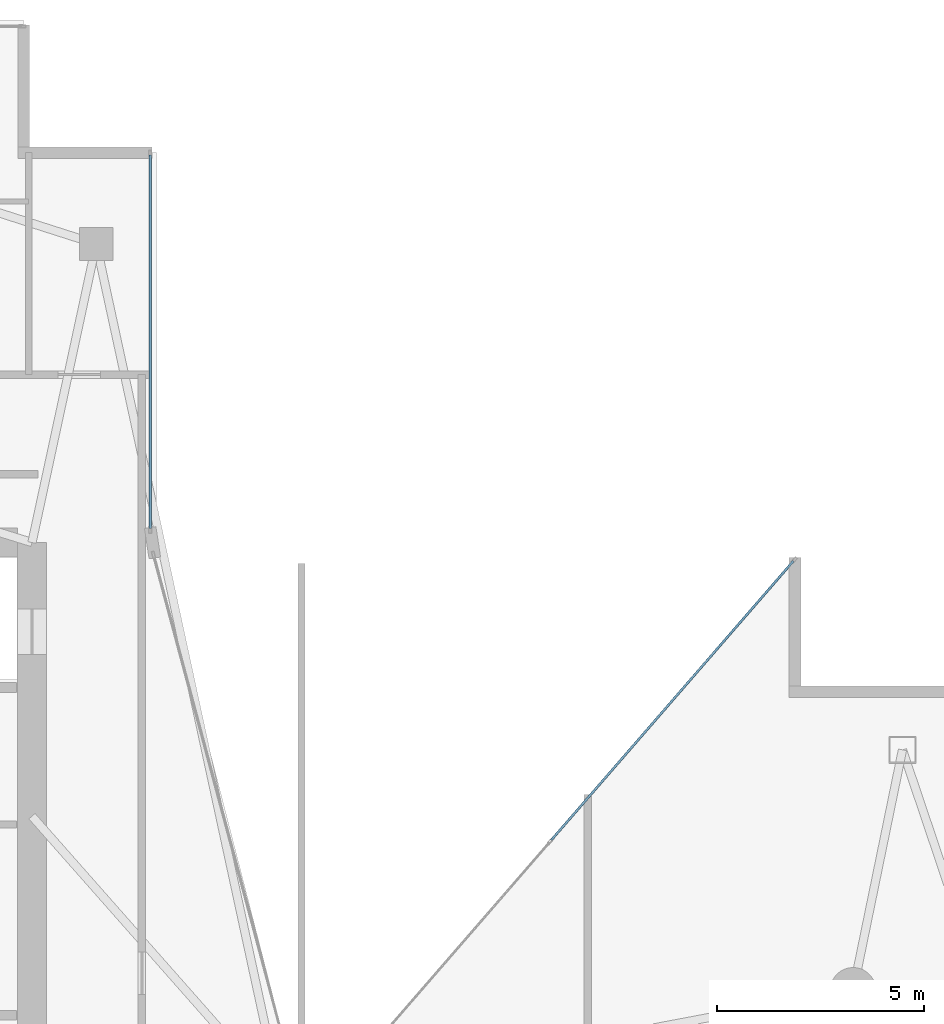
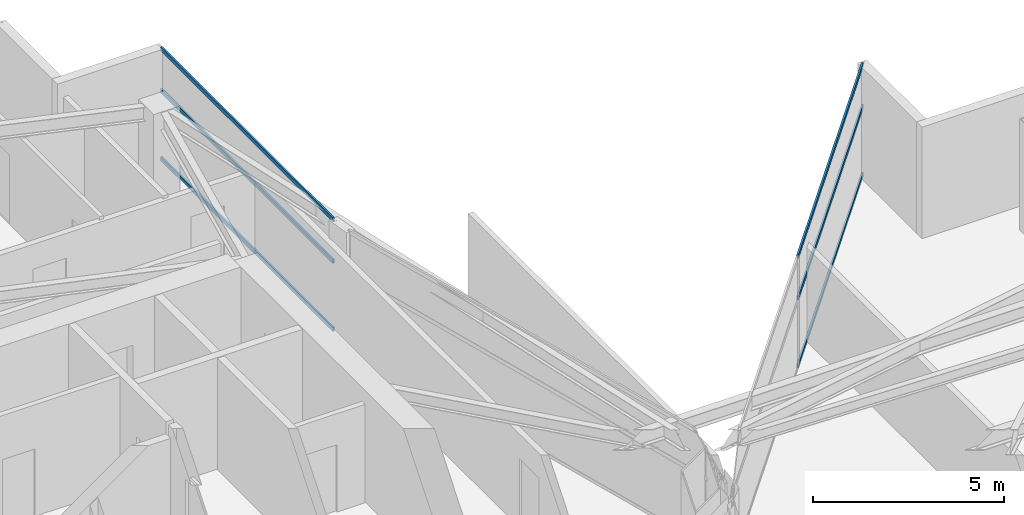
# One storey, part 20 of 29: 6 members, 2 elements without a shape of their own.
"""IFC4 building model written with IfcOpenShell, lengths in metres."""

import ifcopenshell
import ifcopenshell.guid

model = None  # the IFC model being written
_history = None  # IfcOwnerHistory: only IFC2X3 demands one
_inside = {}  # id of a spatial element -> (the spatial element, [elements in it])
_under = {}  # id of a project, library or spatial element -> (it, [spatial elements below it])
_declared = {}  # id of a project -> (the project, [libraries it declares])
_typed = {}  # id of a type object -> (the type object, [elements of that type])
_made_of = {}  # id of a material, layer set ... -> (it, [elements and type objects made of it])


def new_model(schema):
    """Start an empty IFC model of exactly this schema.

    Asked for "IFC4X3", IfcOpenShell would pick the latest addendum, in which some entities
    have other attributes; the version numbers below select the first issue.
    IFC2X3 requires an IfcOwnerHistory on every rooted entity: one is made here for all.
    """
    global model, _history
    if schema == "IFC4X3":
        model = ifcopenshell.file(schema_version=(4, 3, 0, 0))
    else:
        model = ifcopenshell.file(schema=schema)
    _inside.clear()
    _under.clear()
    _declared.clear()
    _typed.clear()
    _made_of.clear()
    _history = None
    if model.schema == "IFC2X3":
        org = make("IfcOrganization", Name="unknown")
        user = make(
            "IfcPersonAndOrganization",
            ThePerson=make("IfcPerson", FamilyName="unknown"),
            TheOrganization=org,
        )
        app = make(
            "IfcApplication",
            ApplicationDeveloper=org,
            Version="unknown",
            ApplicationFullName="unknown",
            ApplicationIdentifier="unknown",
        )
        _history = make(
            "IfcOwnerHistory",
            OwningUser=user,
            OwningApplication=app,
            ChangeAction="ADDED",
            CreationDate=0,
        )
    return model


def make(cls, **values):
    """One entity of the class cls with the attributes given. An attribute that is None is left unset."""
    return model.create_entity(
        cls, **{name: value for name, value in values.items() if value is not None}
    )


def rooted(cls, **values):
    """An entity with a GlobalId (a new one), such as an element, a storey or a relation."""
    return make(cls, GlobalId=ifcopenshell.guid.new(), OwnerHistory=_history, **values)


def si_unit(unit_type, name, prefix=None):
    """IfcSIUnit, for example si_unit("LENGTHUNIT", "METRE", prefix="MILLI")."""
    return make("IfcSIUnit", UnitType=unit_type, Prefix=prefix, Name=name)


def assignment(units):
    """IfcUnitAssignment: the units of a project."""
    return None if units is None else make("IfcUnitAssignment", Units=units)


def point(xyz):
    """IfcCartesianPoint."""
    return None if xyz is None else make("IfcCartesianPoint", Coordinates=xyz)


def direction(xyz):
    """IfcDirection."""
    return None if xyz is None else make("IfcDirection", DirectionRatios=xyz)


def frame(location, z_axis=None, x_axis=None):
    """IfcAxis2Placement3D, a coordinate frame: its origin and axes. An axis left out is left unset."""
    return make(
        "IfcAxis2Placement3D",
        Location=point(location),
        Axis=direction(z_axis),
        RefDirection=direction(x_axis),
    )


def frame_2d(location, x_axis=None):
    """IfcAxis2Placement2D, a coordinate frame in the plane: its origin and x axis."""
    return make(
        "IfcAxis2Placement2D", Location=point(location), RefDirection=direction(x_axis)
    )


def origin():
    """The frame at (0, 0, 0) with its axes left unset."""
    return frame((0.0, 0.0, 0.0))


def origin_2d():
    """The frame at (0, 0) in the plane with its x axis left unset."""
    return frame_2d((0.0, 0.0))


def place(relative_to, where):
    """IfcLocalPlacement: puts the frame where relative to a parent placement (None: the world)."""
    return make(
        "IfcLocalPlacement", PlacementRelTo=relative_to, RelativePlacement=where
    )


def context(
    kind, dimensions, precision=None, world=None, true_north=None, identifier=None
):
    """IfcGeometricRepresentationContext, for example the 3D "Model" context."""
    return make(
        "IfcGeometricRepresentationContext",
        ContextIdentifier=identifier,
        ContextType=kind,
        CoordinateSpaceDimension=dimensions,
        Precision=precision,
        WorldCoordinateSystem=world,
        TrueNorth=true_north,
    )


def subcontext(parent, identifier, kind, view, scale=None):
    """IfcGeometricRepresentationSubContext, for example "Body" below "Model"."""
    return make(
        "IfcGeometricRepresentationSubContext",
        ContextIdentifier=identifier,
        ContextType=kind,
        ParentContext=parent,
        TargetScale=scale,
        TargetView=view,
    )


def project(units=None, contexts=None):
    """IfcProject with its units and contexts."""
    return rooted(
        "IfcProject",
        Name="project",
        RepresentationContexts=contexts,
        UnitsInContext=assignment(units),
    )


def spatial(cls, under=None, at=None, **own):
    """A site, building, storey or space (cls), placed at a placement, below another one or the project."""
    s = rooted(cls, ObjectPlacement=at, **own)
    if under is not None:
        _under.setdefault(under.id(), (under, []))[1].append(s)
    return s


def profile(cls, at=None, kind="AREA", **sizes):
    """A parametric profile (cls). Its sizes go by their IFC names, for example OverallWidth=200.0."""
    return make(cls, ProfileType=kind, Position=at, **sizes)


def hollow_rectangle(**sizes):
    """IfcRectangleHollowProfileDef."""
    return profile("IfcRectangleHollowProfileDef", **sizes)


def extrude(swept, where, along, depth):
    """IfcExtrudedAreaSolid: the profile swept, set in the frame where, extruded along a direction by depth."""
    return make(
        "IfcExtrudedAreaSolid",
        SweptArea=swept,
        Position=where,
        ExtrudedDirection=direction(along),
        Depth=depth,
    )


def shape(context_of_items, identifier, shape_type, items):
    """IfcShapeRepresentation: the items that make up one representation, for example the "Body"."""
    return make(
        "IfcShapeRepresentation",
        ContextOfItems=context_of_items,
        RepresentationIdentifier=identifier,
        RepresentationType=shape_type,
        Items=items,
    )


def material(Name=None, Category=None):
    """IfcMaterial."""
    return make("IfcMaterial", Name=Name, Category=Category)


def layer(
    of_material, thickness, ventilated=None, Name=None, Category=None, Priority=None
):
    """IfcMaterialLayer: one layer of a wall or slab, of a material (None: an air gap)."""
    return make(
        "IfcMaterialLayer",
        Material=of_material,
        LayerThickness=thickness,
        IsVentilated=ventilated,
        Name=Name,
        Category=Category,
        Priority=Priority,
    )


def layer_set(layers, Name=None):
    """IfcMaterialLayerSet."""
    return make("IfcMaterialLayerSet", MaterialLayers=layers, LayerSetName=Name)


def material_profile(
    of_material, cross_section, Name=None, Category=None, Priority=None
):
    """IfcMaterialProfile: a cross section and its material."""
    return make(
        "IfcMaterialProfile",
        Name=Name,
        Material=of_material,
        Profile=cross_section,
        Priority=Priority,
        Category=Category,
    )


def profile_set(profiles, Name=None, composite=None):
    """IfcMaterialProfileSet."""
    return make(
        "IfcMaterialProfileSet",
        Name=Name,
        MaterialProfiles=profiles,
        CompositeProfile=composite,
    )


def made_of(thing, what):
    """Note that an element or type object is made of a material, layer set ...; save() writes the relation."""
    if what is not None:
        _made_of.setdefault(what.id(), (what, []))[1].append(thing)
    return thing


def type_object(cls, material=None, **own):
    """A type object (cls), such as IfcWallType, which elements share."""
    return made_of(rooted(cls, **own), material)


def element(
    cls,
    number,
    at=None,
    inside=None,
    cuts=None,
    type_object=None,
    material=None,
    context=None,
    identifier="Body",
    shape_type=None,
    held_by="IfcProductDefinitionShape",
    body=None,
    shapes=None,
    **own,
):
    """One element of the class cls, such as IfcWall. Its Tag is "e" and its number.

    at: its placement. inside: the storey or other place that contains it. cuts: it is an
    opening in that element (IfcRelVoidsElement). A single representation is given by context,
    identifier, shape_type and body (its items); several are given by shapes. held_by: the class
    of the entity that holds the representations. save() writes the other relations.
    """
    e = rooted(cls, Tag="e%d" % number, ObjectPlacement=at, **own)
    if body is not None:
        shapes = [shape(context, identifier, shape_type, body)]
    if shapes is not None:
        e.Representation = make(held_by, Representations=shapes)
    if inside is not None:
        _inside.setdefault(inside.id(), (inside, []))[1].append(e)
    if cuts is not None:
        rooted(
            "IfcRelVoidsElement", RelatingBuildingElement=cuts, RelatedOpeningElement=e
        )
    if type_object is not None:
        _typed.setdefault(type_object.id(), (type_object, []))[1].append(e)
    return made_of(e, material)


def aggregate(whole, parts):
    """IfcRelAggregates: a whole, such as a stair, and the parts it consists of."""
    return rooted("IfcRelAggregates", RelatingObject=whole, RelatedObjects=parts)


def save(model, path):
    """Write the relations noted so far, then the file.

    IfcRelAggregates (storeys below a building ...), IfcRelContainedInSpatialStructure (elements
    in a storey), IfcRelDefinesByType, IfcRelAssociatesMaterial and IfcRelDeclares: one each for
    every whole, place, type object, material and project.
    """
    for whole, parts in _under.values():
        aggregate(whole, parts)
    for where, things in _inside.values():
        rooted(
            "IfcRelContainedInSpatialStructure",
            RelatedElements=things,
            RelatingStructure=where,
        )
    for kind, things in _typed.values():
        rooted("IfcRelDefinesByType", RelatedObjects=things, RelatingType=kind)
    for what, things in _made_of.values():
        rooted("IfcRelAssociatesMaterial", RelatedObjects=things, RelatingMaterial=what)
    for by, libraries in _declared.values():
        rooted("IfcRelDeclares", RelatingContext=by, RelatedDefinitions=libraries)
    model.write(path)


model = new_model("IFC4")

# Units and contexts
model_context = context("Model", 3, precision=1e-05, world=origin(), true_north=direction((0.0, 1.0)))
body_context = subcontext(model_context, "Body", "Model", "MODEL_VIEW")
ifc_project = project(units=[si_unit("LENGTHUNIT", "METRE"), si_unit("AREAUNIT", "SQUARE_METRE"), si_unit("VOLUMEUNIT", "CUBIC_METRE"), si_unit("PLANEANGLEUNIT", "RADIAN"), si_unit("MASSUNIT", "GRAM", prefix="KILO")], contexts=[model_context])

# Site, building, storey
site_placement = place(None, origin())
site = spatial("IfcSite", under=ifc_project, at=site_placement, CompositionType="ELEMENT")
building_placement = place(site_placement, origin())
building = spatial("IfcBuilding", under=site, at=building_placement, Name="Calvorn Quay Hotel", CompositionType="ELEMENT")
storey_placement = place(building_placement, frame((0.0, 0.0, 255.199951171875)))
storey = spatial("IfcBuildingStorey", under=building, at=storey_placement, Name="L63", CompositionType="ELEMENT", Elevation=255.199951171875)

# Curtain wall, members
ifc_material_1 = material(Name="Champagne Bronze Anodised Aluminium and Low-E Glass", Category="aluminium")
ifc_layer = layer(ifc_material_1, 0.219970703125)
ifc_layer_set = layer_set([ifc_layer], Name="CW-SYS-Z4")
curtain_wall_type = type_object("IfcCurtainWallType", Name="CW-SYS-Z4", PredefinedType="NOTDEFINED", material=ifc_layer_set)
curtain_wall_1_placement = place(storey_placement, origin())
curtain_wall_1 = element("IfcCurtainWall", 1, at=curtain_wall_1_placement, inside=storey, type_object=curtain_wall_type, Name="Inner Court Curtain Wall L63-NE1", PredefinedType="NOTDEFINED")
ifc_material_2 = material(Name="Champagne Bronze Anodised Aluminium 6063-T6", Category="aluminium")
ifc_material_profile = material_profile(ifc_material_2, hollow_rectangle(XDim=0.054931640625, YDim=0.1298828125, WallThickness=0.003173828125, at=origin_2d()), Name="ALU-T130x55x3.2")
ifc_profile_set = profile_set([ifc_material_profile], Name="Champagne Bronze Anodised Aluminium 6063-T6")
member_type = type_object("IfcMemberType", Name="CW-SYS-Z4-TRN", PredefinedType="USERDEFINED", material=ifc_profile_set)
member_1_placement = place(storey_placement, frame((33.360595703125, 37.95458984375, 0.030029296875), z_axis=(-0.65534550322, -0.755329247024, 0.0), x_axis=(0.755329247024, -0.65534550322, 0.0)))
member_1 = element("IfcMember", 2, at=member_1_placement, type_object=member_type, Name="CW-L63-NE1 transom 1.1", ObjectType="TRANSOM", PredefinedType="USERDEFINED", context=body_context, shape_type="SweptSolid", body=[
    extrude(hollow_rectangle(XDim=0.054931640625, YDim=0.1298828125, WallThickness=0.003173828125, at=origin_2d()), origin(), (0.0, 0.0, 1.0), 8.91259765625),
])
member_2_placement = place(storey_placement, frame((33.360595703125, 37.95458984375, 2.199951171875), z_axis=(-0.65534550322, -0.755329247024, 0.0), x_axis=(0.755329247024, -0.65534550322, 0.0)))
member_2 = element("IfcMember", 3, at=member_2_placement, type_object=member_type, Name="CW-L63-NE1 transom 1.2", ObjectType="TRANSOM", PredefinedType="USERDEFINED", context=body_context, shape_type="SweptSolid", body=[
    extrude(hollow_rectangle(XDim=0.054931640625, YDim=0.1298828125, WallThickness=0.003173828125, at=origin_2d()), origin(), (0.0, 0.0, 1.0), 8.91259765625),
])
member_3_placement = place(storey_placement, frame((33.360595703125, 37.95458984375, 3.530029296875), z_axis=(-0.65534550322, -0.755329247024, 0.0), x_axis=(0.755329247024, -0.65534550322, 0.0)))
member_3 = element("IfcMember", 4, at=member_3_placement, type_object=member_type, Name="CW-L63-NE1 transom 1.3", ObjectType="TRANSOM", PredefinedType="USERDEFINED", context=body_context, shape_type="SweptSolid", body=[
    extrude(hollow_rectangle(XDim=0.054931640625, YDim=0.1298828125, WallThickness=0.003173828125, at=origin_2d()), origin(), (0.0, 0.0, 1.0), 8.91259765625),
])
aggregate(curtain_wall_1, [member_1, member_2, member_3])

curtain_wall_2_placement = place(storey_placement, origin())
curtain_wall_2 = element("IfcCurtainWall", 5, at=curtain_wall_2_placement, inside=storey, type_object=curtain_wall_type, Name="Inner Court Curtain Wall L63-IC2", PredefinedType="NOTDEFINED")
member_4_placement = place(storey_placement, frame((17.85009765625, 38.739990234375, 0.030029296875), z_axis=(0.0, 1.0, 0.0), x_axis=(-1.0, 0.0, 0.0)))
member_4 = element("IfcMember", 6, at=member_4_placement, type_object=member_type, Name="CW-L63-IC2 transom 1.1", ObjectType="TRANSOM", PredefinedType="USERDEFINED", context=body_context, shape_type="SweptSolid", body=[
    extrude(hollow_rectangle(XDim=0.054931640625, YDim=0.1298828125, WallThickness=0.003173828125, at=origin_2d()), origin(), (0.0, 0.0, 1.0), 9.0),
])
member_5_placement = place(storey_placement, frame((17.85009765625, 38.739990234375, 2.199951171875), z_axis=(0.0, 1.0, 0.0), x_axis=(-1.0, 0.0, 0.0)))
member_5 = element("IfcMember", 7, at=member_5_placement, type_object=member_type, Name="CW-L63-IC2 transom 1.2", ObjectType="TRANSOM", PredefinedType="USERDEFINED", context=body_context, shape_type="SweptSolid", body=[
    extrude(hollow_rectangle(XDim=0.054931640625, YDim=0.1298828125, WallThickness=0.003173828125, at=origin_2d()), origin(), (0.0, 0.0, 1.0), 9.0),
])
member_6_placement = place(storey_placement, frame((17.85009765625, 38.739990234375, 3.530029296875), z_axis=(0.0, 1.0, 0.0), x_axis=(-1.0, 0.0, 0.0)))
member_6 = element("IfcMember", 8, at=member_6_placement, type_object=member_type, Name="CW-L63-IC2 transom 1.3", ObjectType="TRANSOM", PredefinedType="USERDEFINED", context=body_context, shape_type="SweptSolid", body=[
    extrude(hollow_rectangle(XDim=0.054931640625, YDim=0.1298828125, WallThickness=0.003173828125, at=origin_2d()), origin(), (0.0, 0.0, 1.0), 9.0),
])
aggregate(curtain_wall_2, [member_4, member_5, member_6])

save(model, "model.ifc")
